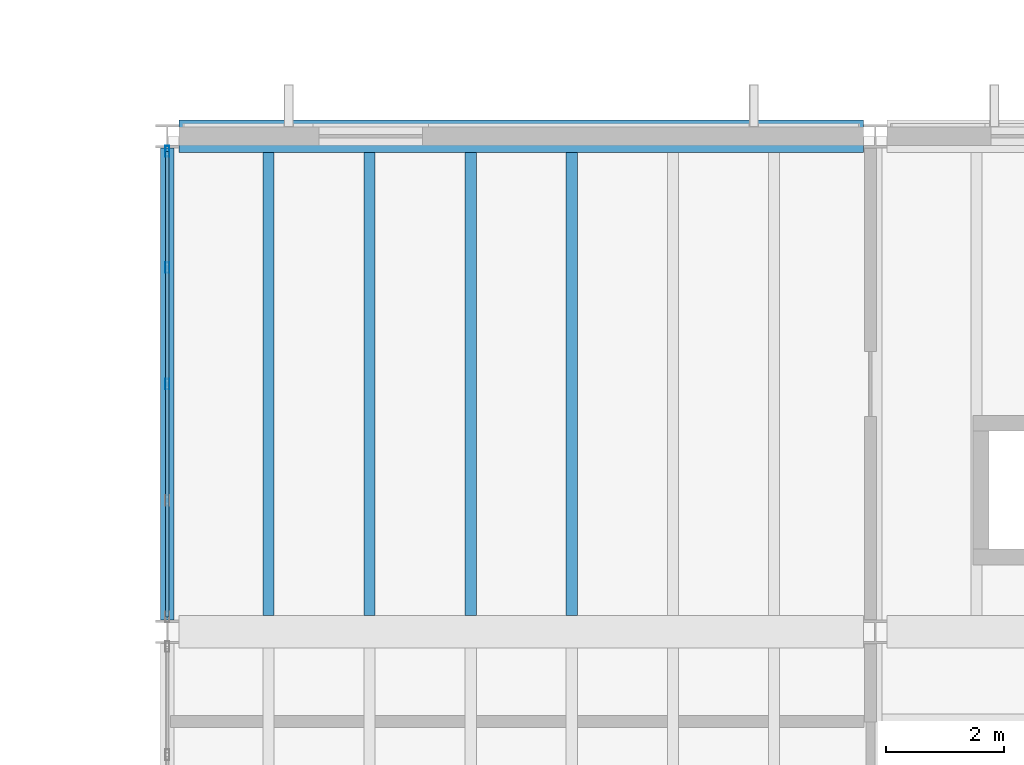
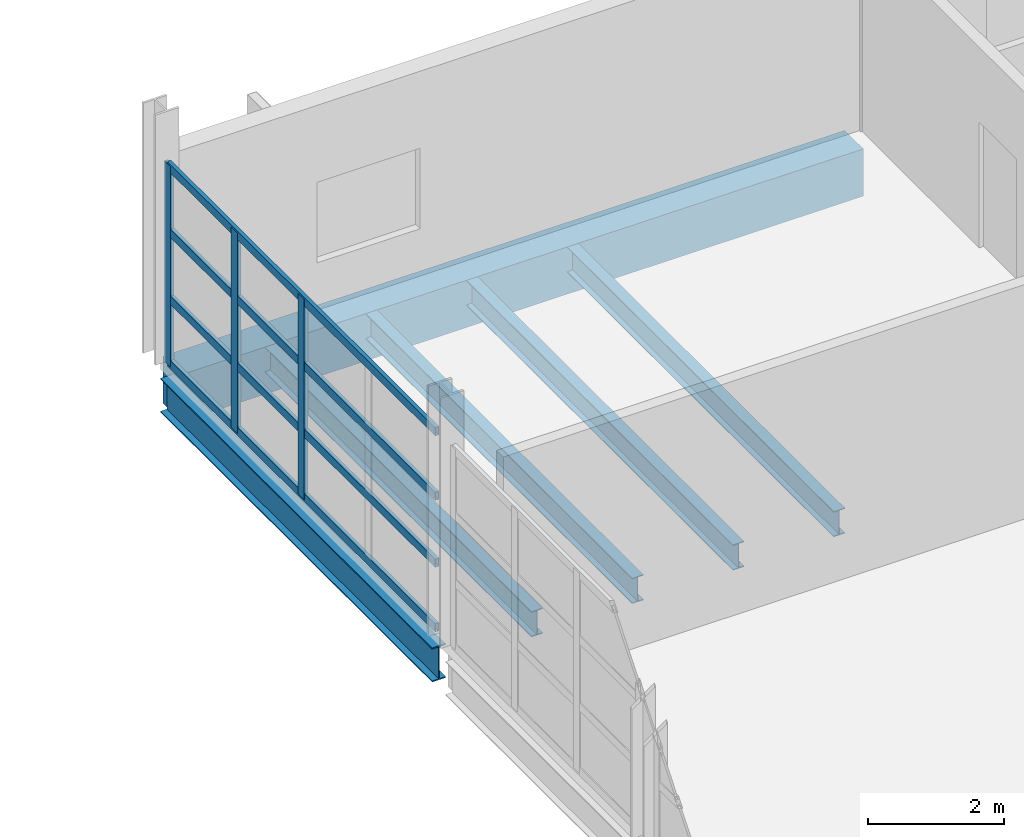
# One storey, part 67 of 114: 7 members, 6 beams, 1 element without a shape of its own.
"""IFC4 building model written with IfcOpenShell, lengths in metres."""

from ifc_helpers import new_model, si_unit, direction, frame, origin, origin_2d, place, context, subcontext, project, spatial, rectangle, hollow_rectangle, i_section, extrude, material, material_profile, profile_set, type_object, element, aggregate, save


model = new_model("IFC4")

# Units and contexts
model_context = context("Model", 3, precision=1e-05, world=origin(), true_north=direction((0.0, 1.0)))
body_context = subcontext(model_context, "Body", "Model", "MODEL_VIEW")
ifc_project = project(units=[si_unit("LENGTHUNIT", "METRE"), si_unit("AREAUNIT", "SQUARE_METRE"), si_unit("VOLUMEUNIT", "CUBIC_METRE"), si_unit("PLANEANGLEUNIT", "RADIAN"), si_unit("MASSUNIT", "GRAM", prefix="KILO")], contexts=[model_context])

# Site, building, storey
site_placement = place(None, origin())
site = spatial("IfcSite", under=ifc_project, at=site_placement, CompositionType="ELEMENT")
building_placement = place(site_placement, origin())
building = spatial("IfcBuilding", under=site, at=building_placement, Name="Kelmvaro Bay Concert Hall", CompositionType="ELEMENT")
storey_placement = place(building_placement, frame((0.0, 0.0, 4.800048828125)))
storey = spatial("IfcBuildingStorey", under=building, at=storey_placement, Name="L01", CompositionType="ELEMENT", Elevation=4.800048828125)

# Beam
ifc_material_1 = material(Name="Concrete C40/50", Category="concrete")
ifc_material_profile_1 = material_profile(ifc_material_1, rectangle(XDim=0.550048828125, YDim=0.85009765625, at=origin_2d()), Name="RC-BM-550X850")
ifc_profile_set_1 = profile_set([ifc_material_profile_1], Name="Concrete C40/50")
beam_type_1 = type_object("IfcBeamType", Name="Chamber Primary Girder RC550x850", PredefinedType="BEAM", material=ifc_profile_set_1)
beam_1_placement = place(storey_placement, frame((120.200439453125, 97.199951171875, -0.68505859375), z_axis=(1.0, 0.0, 0.0), x_axis=(0.0, 1.0, 0.0)))
element("IfcBeam", 1, at=beam_1_placement, inside=storey, type_object=beam_type_1, Name="L01 Girder BM-L01-EW-0100", PredefinedType="BEAM", context=body_context, shape_type="SweptSolid", body=[
    extrude(rectangle(XDim=0.550048828125, YDim=0.85009765625, at=origin_2d()), origin(), (0.0, 0.0, 1.0), 11.59912109375),
])

# Curtain wall, members
ifc_material_2 = material(Name="Anodised Aluminium and Low-E Insulated Glazing", Category="aluminium")
curtain_wall_type = type_object("IfcCurtainWallType", Name="Chamber Foyer Curtain Wall 3900", PredefinedType="USERDEFINED", material=ifc_material_2)
curtain_wall_placement = place(storey_placement, origin())
curtain_wall = element("IfcCurtainWall", 2, at=curtain_wall_placement, inside=storey, type_object=curtain_wall_type, Name="Unitised Curtain Wall CW-L01-037", ObjectType="UNITISED GLAZING", PredefinedType="USERDEFINED")
ifc_material_3 = material(Name="Anodised Extruded Aluminium 6063-T6", Category="aluminium")
ifc_material_profile_2 = material_profile(ifc_material_3, hollow_rectangle(XDim=0.06494140625, YDim=0.179931640625, WallThickness=0.00390625, at=origin_2d()), Name="ALU-MUL-180X65")
ifc_profile_set_2 = profile_set([ifc_material_profile_2], Name="Anodised Extruded Aluminium 6063-T6")
member_type_1 = type_object("IfcMemberType", Name="Curtain Mullion ALU 180x65", PredefinedType="MULLION", material=ifc_profile_set_2)
member_1_placement = place(storey_placement, frame((120.0, 92.998779296875, 0.0), z_axis=(0.0, 0.0, 1.0), x_axis=(1.0, 0.0, 0.0)))
member_1 = element("IfcMember", 3, at=member_1_placement, type_object=member_type_1, Name="CW-L01-037 Mullion 03", PredefinedType="MULLION", context=body_context, shape_type="SweptSolid", body=[
    extrude(hollow_rectangle(XDim=0.06494140625, YDim=0.179931640625, WallThickness=0.00390625, at=origin_2d()), origin(), (0.0, 0.0, 1.0), 3.60791015625),
])
member_2_placement = place(storey_placement, frame((120.0, 94.97216796875, 0.0), z_axis=(0.0, 0.0, 1.0), x_axis=(1.0, 0.0, 0.0)))
member_2 = element("IfcMember", 4, at=member_2_placement, type_object=member_type_1, Name="CW-L01-037 Mullion 04", PredefinedType="MULLION", context=body_context, shape_type="SweptSolid", body=[
    extrude(hollow_rectangle(XDim=0.06494140625, YDim=0.179931640625, WallThickness=0.00390625, at=origin_2d()), origin(), (0.0, 0.0, 1.0), 3.60791015625),
])
member_3_placement = place(storey_placement, frame((120.0, 96.945556640625, 0.0), z_axis=(0.0, 0.0, 1.0), x_axis=(1.0, 0.0, 0.0)))
member_3 = element("IfcMember", 5, at=member_3_placement, type_object=member_type_1, Name="CW-L01-037 Mullion 05", PredefinedType="MULLION", context=body_context, shape_type="SweptSolid", body=[
    extrude(hollow_rectangle(XDim=0.06494140625, YDim=0.179931640625, WallThickness=0.00390625, at=origin_2d()), origin(), (0.0, 0.0, 1.0), 3.60791015625),
])
ifc_material_4 = material(Name="Anodised Extruded Aluminium 6063-T6", Category="aluminium")
ifc_material_profile_3 = material_profile(ifc_material_4, hollow_rectangle(XDim=0.06494140625, YDim=0.14990234375, WallThickness=0.00390625, at=origin_2d()), Name="ALU-TRN-150X65")
ifc_profile_set_3 = profile_set([ifc_material_profile_3], Name="Anodised Extruded Aluminium 6063-T6")
member_type_2 = type_object("IfcMemberType", Name="Curtain Transom ALU 150x65", PredefinedType="USERDEFINED", material=ifc_profile_set_3)
member_4_placement = place(storey_placement, frame((120.0, 89.052001953125, 0.0400390625), z_axis=(0.0, 1.0, 0.0), x_axis=(-1.0, 0.0, 0.0)))
member_4 = element("IfcMember", 6, at=member_4_placement, type_object=member_type_2, Name="CW-L01-037 Transom 01", ObjectType="TRANSOM", PredefinedType="USERDEFINED", context=body_context, shape_type="SweptSolid", body=[
    extrude(hollow_rectangle(XDim=0.06494140625, YDim=0.14990234375, WallThickness=0.00390625, at=origin_2d()), origin(), (0.0, 0.0, 1.0), 7.8935546875),
])
member_5_placement = place(storey_placement, frame((120.0, 89.052001953125, 1.20263671875), z_axis=(0.0, 1.0, 0.0), x_axis=(-1.0, 0.0, 0.0)))
member_5 = element("IfcMember", 7, at=member_5_placement, type_object=member_type_2, Name="CW-L01-037 Transom 02", ObjectType="TRANSOM", PredefinedType="USERDEFINED", context=body_context, shape_type="SweptSolid", body=[
    extrude(hollow_rectangle(XDim=0.06494140625, YDim=0.14990234375, WallThickness=0.00390625, at=origin_2d()), origin(), (0.0, 0.0, 1.0), 7.8935546875),
])
member_6_placement = place(storey_placement, frame((120.0, 89.052001953125, 2.4052734375), z_axis=(0.0, 1.0, 0.0), x_axis=(-1.0, 0.0, 0.0)))
member_6 = element("IfcMember", 8, at=member_6_placement, type_object=member_type_2, Name="CW-L01-037 Transom 03", ObjectType="TRANSOM", PredefinedType="USERDEFINED", context=body_context, shape_type="SweptSolid", body=[
    extrude(hollow_rectangle(XDim=0.06494140625, YDim=0.14990234375, WallThickness=0.00390625, at=origin_2d()), origin(), (0.0, 0.0, 1.0), 7.8935546875),
])
member_7_placement = place(storey_placement, frame((120.0, 89.052001953125, 3.56787109375), z_axis=(0.0, 1.0, 0.0), x_axis=(-1.0, 0.0, 0.0)))
member_7 = element("IfcMember", 9, at=member_7_placement, type_object=member_type_2, Name="CW-L01-037 Transom 04", ObjectType="TRANSOM", PredefinedType="USERDEFINED", context=body_context, shape_type="SweptSolid", body=[
    extrude(hollow_rectangle(XDim=0.06494140625, YDim=0.14990234375, WallThickness=0.00390625, at=origin_2d()), origin(), (0.0, 0.0, 1.0), 7.8935546875),
])
aggregate(curtain_wall, [member_1, member_2, member_3, member_4, member_5, member_6, member_7])

# Beams
ifc_material_5 = material(Name="Steel ASTM A992 Grade 50", Category="steel")
ifc_material_profile_4 = material_profile(ifc_material_5, i_section(OverallWidth=0.19091796875, OverallDepth=0.45703125, WebThickness=0.009033203125, FlangeThickness=0.014404296875, at=origin_2d()), Name="W18X50")
ifc_profile_set_4 = profile_set([ifc_material_profile_4], Name="Steel ASTM A992 Grade 50")
beam_type_2 = type_object("IfcBeamType", Name="Standard Composite Floor Joist W18x50", PredefinedType="JOIST", material=ifc_profile_set_4)
for number, where, z_axis, x_axis, name in (
    (10, (121.71435546875, 89.074951171875, -0.488525390625), (0.0, 1.0, 0.0), (-1.0, 0.0, 0.0), "L01 Floor Joist JST-L01-0617"),
    (11, (123.4287109375, 89.074951171875, -0.488525390625), (0.0, 1.0, 0.0), (-1.0, 0.0, 0.0), "L01 Floor Joist JST-L01-0618"),
    (12, (125.142822265625, 89.074951171875, -0.488525390625), (0.0, 1.0, 0.0), (-1.0, 0.0, 0.0), "L01 Floor Joist JST-L01-0619"),
    (13, (126.857177734375, 89.074951171875, -0.488525390625), (0.0, 1.0, 0.0), (-1.0, 0.0, 0.0), "L01 Floor Joist JST-L01-0620"),
):
    element("IfcBeam", number, at=place(storey_placement, frame(where, z_axis=z_axis, x_axis=x_axis)), inside=storey, type_object=beam_type_2, Name=name, PredefinedType="JOIST", context=body_context, shape_type="SweptSolid", body=[
        extrude(i_section(OverallWidth=0.19091796875, OverallDepth=0.45703125, WebThickness=0.009033203125, FlangeThickness=0.014404296875, at=origin_2d()), origin(), (0.0, 0.0, 1.0), 7.85009765625),
    ])
ifc_material_6 = material(Name="Steel ASTM A992 Grade 50", Category="steel")
ifc_material_profile_5 = material_profile(ifc_material_6, i_section(OverallWidth=0.22900390625, OverallDepth=0.612060546875, WebThickness=0.011962890625, FlangeThickness=0.01953125, at=origin_2d()), Name="W24X84")
ifc_profile_set_5 = profile_set([ifc_material_profile_5], Name="Steel ASTM A992 Grade 50")
beam_type_3 = type_object("IfcBeamType", Name="Terrace Edge Girder W24x84", PredefinedType="BEAM", material=ifc_profile_set_5)
beam_2_placement = place(storey_placement, frame((120.0, 88.9970703125, -0.566162109375), z_axis=(0.0, 1.0, 0.0), x_axis=(-1.0, 0.0, 0.0)))
element("IfcBeam", 14, at=beam_2_placement, inside=storey, type_object=beam_type_3, Name="L01 Girder BM-L01-NS-0192", PredefinedType="BEAM", context=body_context, shape_type="SweptSolid", body=[
    extrude(i_section(OverallWidth=0.22900390625, OverallDepth=0.612060546875, WebThickness=0.011962890625, FlangeThickness=0.01953125, at=origin_2d()), origin(), (0.0, 0.0, 1.0), 8.00341796875),
])

save(model, "model.ifc")
